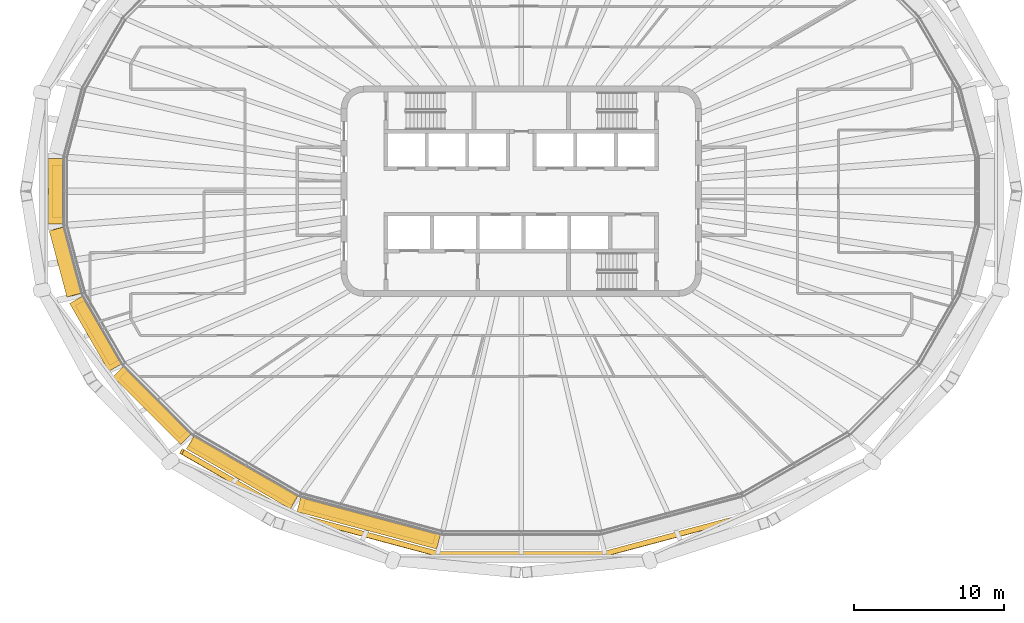
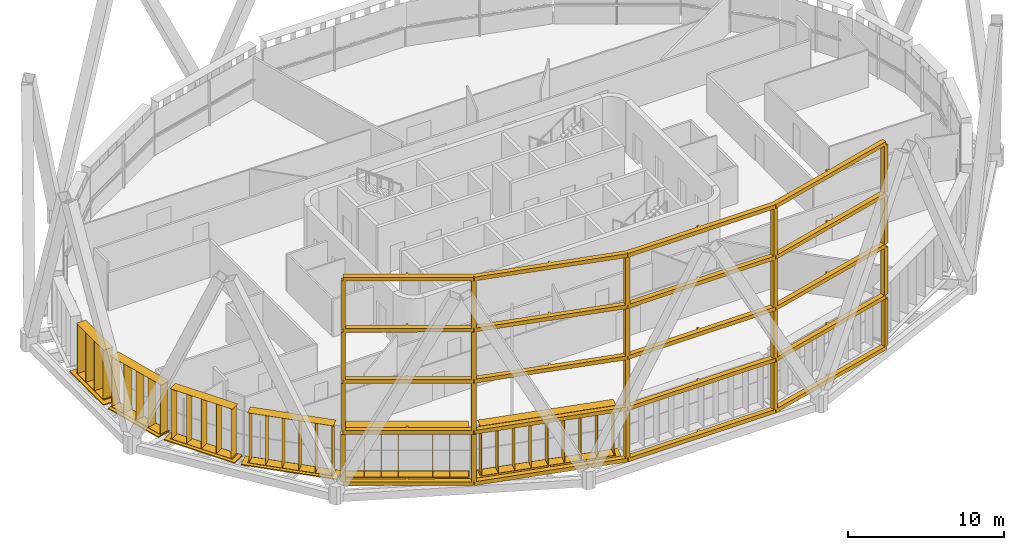
# One storey, part 18 of 22: 13 shading devices.
"""IFC4 building model written with IfcOpenShell, lengths in metres."""

from ifc_helpers import new_model, si_unit, direction, frame, origin, origin_2d, place, context, subcontext, project, spatial, polyline, rectangle, outline, extrude, material, type_object, element, save


model = new_model("IFC4")

# Units and contexts
model_context = context("Model", 3, precision=1e-05, world=origin(), true_north=direction((0.0, 1.0)))
body_context = subcontext(model_context, "Body", "Model", "MODEL_VIEW")
ifc_project = project(units=[si_unit("LENGTHUNIT", "METRE"), si_unit("AREAUNIT", "SQUARE_METRE"), si_unit("VOLUMEUNIT", "CUBIC_METRE"), si_unit("PLANEANGLEUNIT", "RADIAN"), si_unit("MASSUNIT", "GRAM", prefix="KILO")], contexts=[model_context])

# Site, building, storey
site_placement = place(None, origin())
site = spatial("IfcSite", under=ifc_project, at=site_placement, CompositionType="ELEMENT")
building_placement = place(site_placement, origin())
building = spatial("IfcBuilding", under=site, at=building_placement, Name="Sahrelin Media Tower", CompositionType="ELEMENT")
storey_placement = place(building_placement, frame((0.0, 0.0, 233.60009765625)))
storey = spatial("IfcBuildingStorey", under=building, at=storey_placement, Name="L50", CompositionType="ELEMENT", Elevation=233.60009765625)

# Shading devices
ifc_material_1 = material(Name="Dark bronze anodised aluminium 6063-T6", Category="aluminium")
shading_device_type_1 = type_object("IfcShadingDeviceType", Name="Deep frame", PredefinedType="USERDEFINED", material=ifc_material_1)
shading_device_1_placement = place(storey_placement, frame((-21.87890625, -16.22265625, 0.0), z_axis=(0.0, 0.0, 1.0), x_axis=(-0.866019052629, 0.500011000363, 0.0)))
element("IfcShadingDevice", 1, at=shading_device_1_placement, inside=storey, type_object=shading_device_type_1, Name="L50:FRAME:F4-2", ObjectType="FRAME", PredefinedType="USERDEFINED", context=body_context, shape_type="SweptSolid", body=[
    extrude(rectangle(XDim=0.300048828125, YDim=0.35009765625, at=origin_2d()), frame((0.0, 1.324951171875, 0.14990234375), z_axis=(0.0, 0.0, 1.0), x_axis=(-1.0, 0.0, 0.0)), (0.0, 0.0, 1.0), 3.7001953125),
    extrude(rectangle(XDim=0.300048828125, YDim=0.35009765625, at=origin_2d()), frame((-8.377197265625, 1.313720703125, 0.14990234375), z_axis=(0.0, 0.0, 1.0), x_axis=(-0.991434606813, -0.130604059715, 0.0)), (0.0, 0.0, 1.0), 3.7001953125),
    extrude(rectangle(XDim=0.300048828125, YDim=0.35009765625, at=origin_2d()), frame((-18.20751953125, -1.3203125, 0.14990234375), z_axis=(0.0, 0.0, 1.0), x_axis=(-0.923876860854, -0.382689882252, 0.0)), (0.0, 0.0, 1.0), 3.7001953125),
    extrude(rectangle(XDim=0.300048828125, YDim=0.35009765625, at=origin_2d()), frame((-27.648193359375, -6.770751953125, 0.14990234375), z_axis=(0.0, 0.0, 1.0), x_axis=(-0.793315089117, -0.608811275668, 0.0)), (0.0, 0.0, 1.0), 3.7001953125),
    extrude(rectangle(XDim=0.300048828125, YDim=0.35009765625, at=origin_2d()), frame((-34.730224609375, -13.8369140625, 0.14990234375), z_axis=(0.0, 0.0, 1.0), x_axis=(-0.707106781187, -0.707106781187, 0.0)), (0.0, 0.0, 1.0), 3.7001953125),
    extrude(outline(polyline([(-27.735595703125, -6.619384765625), (-27.648193359375, -6.770751953125), (-27.771728515625, -6.64697265625), (-34.853759765625, -13.712890625), (-34.606689453125, -13.960693359375), (-31.1796875, -10.54150390625), (-31.056396484375, -10.6650390625), (-30.9501953125, -10.558837890625), (-31.073486328125, -10.435791015625), (-27.540771484375, -6.910888671875), (-22.9052734375, -4.234619140625), (-22.82080078125, -4.380615234375), (-22.69091796875, -4.3056640625), (-22.775390625, -4.15966796875), (-18.139892578125, -1.4833984375), (-13.319580078125, -0.19189453125), (-13.27587890625, -0.354736328125), (-13.131103515625, -0.31591796875), (-13.174560546875, -0.153076171875), (-8.35400390625, 1.138671875), (-4.177001953125, 1.144287109375), (-4.177001953125, 0.969970703125), (-4.027099609375, 0.969970703125), (-4.027099609375, 1.14453125), (0.000244140625, 1.14990234375), (-0.000244140625, 1.5), (-8.37744140625, 1.48876953125), (-8.377197265625, 1.313720703125), (-8.422607421875, 1.482666015625), (-18.252685546875, -1.1513671875), (-18.20751953125, -1.3203125), (-18.294921875, -1.168701171875), (-27.735595703125, -6.619384765625)])), frame((0.0, 0.0, -0.14990234375)), (0.0, 0.0, 1.0), 0.2998046875),
    extrude(rectangle(XDim=0.300048828125, YDim=0.35009765625, at=origin_2d()), frame((-0.00830078125, 1.30419921875, 4.14990234375), z_axis=(0.0, 0.0, 1.0), x_axis=(-1.0, 0.0, 0.0)), (0.0, 0.0, 1.0), 3.7001953125),
    extrude(rectangle(XDim=0.300048828125, YDim=0.35009765625, at=origin_2d()), frame((-8.37890625, 1.29296875, 4.14990234375), z_axis=(0.0, 0.0, 1.0), x_axis=(-0.991436202368, -0.130591947046, 0.0)), (0.0, 0.0, 1.0), 3.7001953125),
    extrude(rectangle(XDim=0.300048828125, YDim=0.35009765625, at=origin_2d()), frame((-18.20166015625, -1.339111328125, 4.14990234375), z_axis=(0.0, 0.0, 1.0), x_axis=(-0.923876860854, -0.382689882252, 0.0)), (0.0, 0.0, 1.0), 3.7001953125),
    extrude(rectangle(XDim=0.300048828125, YDim=0.35009765625, at=origin_2d()), frame((-27.634765625, -6.785400390625, 4.14990234375), z_axis=(0.0, 0.0, 1.0), x_axis=(-0.793352277801, -0.608762813671, 0.0)), (0.0, 0.0, 1.0), 3.7001953125),
    extrude(rectangle(XDim=0.300048828125, YDim=0.35009765625, at=origin_2d()), frame((-34.71142578125, -13.845703125, 4.14990234375), z_axis=(0.0, 0.0, 1.0), x_axis=(-0.707106781187, -0.707106781187, 0.0)), (0.0, 0.0, 1.0), 3.7001953125),
    extrude(outline(polyline([(-27.722412109375, -6.6337890625), (-27.634765625, -6.785400390625), (-27.75830078125, -6.661376953125), (-34.8349609375, -13.721923828125), (-34.587890625, -13.9697265625), (-31.163818359375, -10.55322265625), (-31.040283203125, -10.6767578125), (-30.93408203125, -10.57080078125), (-31.0576171875, -10.447509765625), (-27.527587890625, -6.92529296875), (-22.895751953125, -4.251220703125), (-22.811279296875, -4.397216796875), (-22.681396484375, -4.322265625), (-22.765869140625, -4.17626953125), (-18.134033203125, -1.502197265625), (-13.3173828125, -0.211669921875), (-13.273681640625, -0.37451171875), (-13.12890625, -0.335693359375), (-13.172607421875, -0.172607421875), (-8.355712890625, 1.117919921875), (-4.18212890625, 1.12353515625), (-4.18212890625, 0.94921875), (-4.031982421875, 0.94921875), (-4.031982421875, 1.123779296875), (-0.00830078125, 1.129150390625), (-0.0087890625, 1.479248046875), (-8.37890625, 1.468017578125), (-8.37890625, 1.29296875), (-8.424072265625, 1.4619140625), (-18.246826171875, -1.170166015625), (-18.20166015625, -1.339111328125), (-18.2890625, -1.1875), (-27.722412109375, -6.6337890625)])), frame((0.0, 0.0, 3.85009765625)), (0.0, 0.0, 1.0), 0.2998046875),
    extrude(rectangle(XDim=0.300048828125, YDim=0.35009765625, at=origin_2d()), frame((-0.00830078125, 1.30419921875, 8.14990234375), z_axis=(0.0, 0.0, 1.0), x_axis=(-1.0, 0.0, 0.0)), (0.0, 0.0, 1.0), 3.7001953125),
    extrude(rectangle(XDim=0.300048828125, YDim=0.35009765625, at=origin_2d()), frame((-8.37890625, 1.29296875, 8.14990234375), z_axis=(0.0, 0.0, 1.0), x_axis=(-0.991436202368, -0.130591947046, 0.0)), (0.0, 0.0, 1.0), 3.7001953125),
    extrude(rectangle(XDim=0.300048828125, YDim=0.35009765625, at=origin_2d()), frame((-18.20166015625, -1.339111328125, 8.14990234375), z_axis=(0.0, 0.0, 1.0), x_axis=(-0.923876860854, -0.382689882252, 0.0)), (0.0, 0.0, 1.0), 3.7001953125),
    extrude(rectangle(XDim=0.300048828125, YDim=0.35009765625, at=origin_2d()), frame((-27.634765625, -6.785400390625, 8.14990234375), z_axis=(0.0, 0.0, 1.0), x_axis=(-0.793352277801, -0.608762813671, 0.0)), (0.0, 0.0, 1.0), 3.7001953125),
    extrude(rectangle(XDim=0.300048828125, YDim=0.35009765625, at=origin_2d()), frame((-34.71142578125, -13.845703125, 8.14990234375), z_axis=(0.0, 0.0, 1.0), x_axis=(-0.707106781187, -0.707106781187, 0.0)), (0.0, 0.0, 1.0), 3.7001953125),
    extrude(outline(polyline([(-27.722412109375, -6.6337890625), (-27.634765625, -6.785400390625), (-27.75830078125, -6.661376953125), (-34.8349609375, -13.721923828125), (-34.587890625, -13.9697265625), (-31.163818359375, -10.55322265625), (-31.040283203125, -10.6767578125), (-30.93408203125, -10.57080078125), (-31.0576171875, -10.447509765625), (-27.527587890625, -6.92529296875), (-22.895751953125, -4.251220703125), (-22.811279296875, -4.397216796875), (-22.681396484375, -4.322265625), (-22.765869140625, -4.17626953125), (-18.134033203125, -1.502197265625), (-13.3173828125, -0.211669921875), (-13.273681640625, -0.37451171875), (-13.12890625, -0.335693359375), (-13.172607421875, -0.172607421875), (-8.355712890625, 1.117919921875), (-4.18212890625, 1.12353515625), (-4.18212890625, 0.94921875), (-4.031982421875, 0.94921875), (-4.031982421875, 1.123779296875), (-0.00830078125, 1.129150390625), (-0.0087890625, 1.479248046875), (-8.37890625, 1.468017578125), (-8.37890625, 1.29296875), (-8.424072265625, 1.4619140625), (-18.246826171875, -1.170166015625), (-18.20166015625, -1.339111328125), (-18.2890625, -1.1875), (-27.722412109375, -6.6337890625)])), frame((0.0, 0.0, 7.85009765625)), (0.0, 0.0, 1.0), 0.2998046875),
    extrude(rectangle(XDim=0.300048828125, YDim=0.35009765625, at=origin_2d()), frame((-0.00830078125, 1.30419921875, 12.14990234375), z_axis=(0.0, 0.0, 1.0), x_axis=(-1.0, 0.0, 0.0)), (0.0, 0.0, 1.0), 3.7001953125),
    extrude(rectangle(XDim=0.300048828125, YDim=0.35009765625, at=origin_2d()), frame((-8.37890625, 1.29296875, 12.14990234375), z_axis=(0.0, 0.0, 1.0), x_axis=(-0.991436202368, -0.130591947046, 0.0)), (0.0, 0.0, 1.0), 3.7001953125),
    extrude(rectangle(XDim=0.300048828125, YDim=0.35009765625, at=origin_2d()), frame((-18.20166015625, -1.339111328125, 12.14990234375), z_axis=(0.0, 0.0, 1.0), x_axis=(-0.923876860854, -0.382689882252, 0.0)), (0.0, 0.0, 1.0), 3.7001953125),
    extrude(rectangle(XDim=0.300048828125, YDim=0.35009765625, at=origin_2d()), frame((-27.634765625, -6.785400390625, 12.14990234375), z_axis=(0.0, 0.0, 1.0), x_axis=(-0.793352277801, -0.608762813671, 0.0)), (0.0, 0.0, 1.0), 3.7001953125),
    extrude(rectangle(XDim=0.300048828125, YDim=0.35009765625, at=origin_2d()), frame((-34.71142578125, -13.845703125, 12.14990234375), z_axis=(0.0, 0.0, 1.0), x_axis=(-0.707106781187, -0.707106781187, 0.0)), (0.0, 0.0, 1.0), 3.7001953125),
    extrude(outline(polyline([(-27.722412109375, -6.6337890625), (-27.634765625, -6.785400390625), (-27.75830078125, -6.661376953125), (-34.8349609375, -13.721923828125), (-34.587890625, -13.9697265625), (-31.163818359375, -10.55322265625), (-31.040283203125, -10.6767578125), (-30.93408203125, -10.57080078125), (-31.0576171875, -10.447509765625), (-27.527587890625, -6.92529296875), (-22.895751953125, -4.251220703125), (-22.811279296875, -4.397216796875), (-22.681396484375, -4.322265625), (-22.765869140625, -4.17626953125), (-18.134033203125, -1.502197265625), (-13.3173828125, -0.211669921875), (-13.273681640625, -0.37451171875), (-13.12890625, -0.335693359375), (-13.172607421875, -0.172607421875), (-8.355712890625, 1.117919921875), (-4.18212890625, 1.12353515625), (-4.18212890625, 0.94921875), (-4.031982421875, 0.94921875), (-4.031982421875, 1.123779296875), (-0.00830078125, 1.129150390625), (-0.0087890625, 1.479248046875), (-8.37890625, 1.468017578125), (-8.37890625, 1.29296875), (-8.424072265625, 1.4619140625), (-18.246826171875, -1.170166015625), (-18.20166015625, -1.339111328125), (-18.2890625, -1.1875), (-27.722412109375, -6.6337890625)])), frame((0.0, 0.0, 11.85009765625)), (0.0, 0.0, 1.0), 0.2998046875),
    extrude(outline(polyline([(-27.722412109375, -6.6337890625), (-27.634765625, -6.785400390625), (-27.75830078125, -6.661376953125), (-34.8349609375, -13.721923828125), (-34.587890625, -13.9697265625), (-31.163818359375, -10.55322265625), (-31.040283203125, -10.6767578125), (-30.93408203125, -10.57080078125), (-31.0576171875, -10.447509765625), (-27.527587890625, -6.92529296875), (-22.895751953125, -4.251220703125), (-22.811279296875, -4.397216796875), (-22.681396484375, -4.322265625), (-22.765869140625, -4.17626953125), (-18.134033203125, -1.502197265625), (-13.3173828125, -0.211669921875), (-13.273681640625, -0.37451171875), (-13.12890625, -0.335693359375), (-13.172607421875, -0.172607421875), (-8.355712890625, 1.117919921875), (-4.18212890625, 1.12353515625), (-4.18212890625, 0.94921875), (-4.031982421875, 0.94921875), (-4.031982421875, 1.123779296875), (-0.00830078125, 1.129150390625), (-0.0087890625, 1.479248046875), (-8.37890625, 1.468017578125), (-8.37890625, 1.29296875), (-8.424072265625, 1.4619140625), (-18.246826171875, -1.170166015625), (-18.20166015625, -1.339111328125), (-18.2890625, -1.1875), (-27.722412109375, -6.6337890625)])), frame((0.0, 0.0, 15.85009765625)), (0.0, 0.0, 1.0), 0.2998046875),
])
ifc_material_2 = material(Name="Champagne anodised aluminium 6063-T6", Category="aluminium")
shading_device_type_2 = type_object("IfcShadingDeviceType", Name="Fin cassette", PredefinedType="USERDEFINED", material=ifc_material_2)
placement_1 = place(storey_placement, frame((-30.474853515625, 0.0, 0.0), z_axis=(0.0, 0.0, 1.0), x_axis=(0.0, 1.0, 0.0)))
element("IfcShadingDevice", 2, at=placement_1, inside=storey, type_object=shading_device_type_2, Name="L50:FIN:L50-12", ObjectType="FIN", PredefinedType="USERDEFINED", context=body_context, shape_type="SweptSolid", body=[
    extrude(rectangle(XDim=3.5, YDim=0.699951171875, at=origin_2d()), frame((0.0, 0.419921875, 0.0)), (0.0, 0.0, 1.0), 0.02001953125),
    extrude(rectangle(XDim=3.5, YDim=0.699951171875, at=origin_2d()), frame((0.0, 0.419921875, 3.89990234375)), (0.0, 0.0, 1.0), 0.02001953125),
    extrude(rectangle(XDim=0.02001953125, YDim=0.699951171875, at=origin_2d()), frame((-1.64990234375, 0.419921875, 0.010009765625), z_axis=(0.0, 0.0, 1.0), x_axis=(1.0, 0.0, 0.0)), (0.0, 0.0, 1.0), 3.89990234375),
    extrude(rectangle(XDim=0.02001953125, YDim=0.699951171875, at=origin_2d()), frame((-0.550048828125, 0.419921875, 0.010009765625), z_axis=(0.0, 0.0, 1.0), x_axis=(1.0, 0.0, 0.0)), (0.0, 0.0, 1.0), 3.89990234375),
    extrude(rectangle(XDim=0.02001953125, YDim=0.699951171875, at=origin_2d()), frame((0.550048828125, 0.419921875, 0.010009765625), z_axis=(0.0, 0.0, 1.0), x_axis=(1.0, 0.0, 0.0)), (0.0, 0.0, 1.0), 3.89990234375),
    extrude(rectangle(XDim=0.02001953125, YDim=0.699951171875, at=origin_2d()), frame((1.64990234375, 0.419921875, 0.010009765625), z_axis=(0.0, 0.0, 1.0), x_axis=(1.0, 0.0, 0.0)), (0.0, 0.0, 1.0), 3.89990234375),
])
placement_2 = place(storey_placement, frame((-29.858642578125, -4.576171875, 0.0), z_axis=(0.0, 0.0, 1.0), x_axis=(-0.258807731996, 0.965928857556, 0.0)))
element("IfcShadingDevice", 3, at=placement_2, inside=storey, type_object=shading_device_type_2, Name="L50:FIN:L50-13", ObjectType="FIN", PredefinedType="USERDEFINED", context=body_context, shape_type="SweptSolid", body=[
    extrude(rectangle(XDim=4.60009765625, YDim=0.699951171875, at=origin_2d()), frame((0.0, 0.419921875, 0.0)), (0.0, 0.0, 1.0), 0.02001953125),
    extrude(rectangle(XDim=4.60009765625, YDim=0.699951171875, at=origin_2d()), frame((0.0, 0.419921875, 3.89990234375)), (0.0, 0.0, 1.0), 0.02001953125),
    extrude(rectangle(XDim=0.02001953125, YDim=0.699951171875, at=origin_2d()), frame((-2.199951171875, 0.419921875, 0.010009765625), z_axis=(0.0, 0.0, 1.0), x_axis=(1.0, 0.0, 0.0)), (0.0, 0.0, 1.0), 3.89990234375),
    extrude(rectangle(XDim=0.02001953125, YDim=0.699951171875, at=origin_2d()), frame((-1.10009765625, 0.419921875, 0.010009765625), z_axis=(0.0, 0.0, 1.0), x_axis=(1.0, 0.0, 0.0)), (0.0, 0.0, 1.0), 3.89990234375),
    extrude(rectangle(XDim=0.02001953125, YDim=0.699951171875, at=origin_2d()), frame((0.0, 0.419921875, 0.010009765625), z_axis=(0.0, 0.0, 1.0), x_axis=(1.0, 0.0, 0.0)), (0.0, 0.0, 1.0), 3.89990234375),
    extrude(rectangle(XDim=0.02001953125, YDim=0.699951171875, at=origin_2d()), frame((1.10009765625, 0.419921875, 0.010009765625), z_axis=(0.0, 0.0, 1.0), x_axis=(1.0, 0.0, 0.0)), (0.0, 0.0, 1.0), 3.89990234375),
    extrude(rectangle(XDim=0.02001953125, YDim=0.699951171875, at=origin_2d()), frame((2.199951171875, 0.419921875, 0.010009765625), z_axis=(0.0, 0.0, 1.0), x_axis=(1.0, 0.0, 0.0)), (0.0, 0.0, 1.0), 3.89990234375),
])
placement_3 = place(storey_placement, frame((-27.887939453125, -9.2216796875, 0.0), z_axis=(0.0, 0.0, 1.0), x_axis=(-0.500011000363, 0.866019052629, 0.0)))
element("IfcShadingDevice", 4, at=placement_3, inside=storey, type_object=shading_device_type_2, Name="L50:FIN:L50-14", ObjectType="FIN", PredefinedType="USERDEFINED", context=body_context, shape_type="SweptSolid", body=[
    extrude(rectangle(XDim=4.60009765625, YDim=0.699951171875, at=origin_2d()), frame((0.0, 0.419921875, 0.0)), (0.0, 0.0, 1.0), 0.02001953125),
    extrude(rectangle(XDim=4.60009765625, YDim=0.699951171875, at=origin_2d()), frame((0.0, 0.419921875, 3.89990234375)), (0.0, 0.0, 1.0), 0.02001953125),
    extrude(rectangle(XDim=0.02001953125, YDim=0.699951171875, at=origin_2d()), frame((-2.199951171875, 0.419921875, 0.010009765625), z_axis=(0.0, 0.0, 1.0), x_axis=(1.0, 0.0, 0.0)), (0.0, 0.0, 1.0), 3.89990234375),
    extrude(rectangle(XDim=0.02001953125, YDim=0.699951171875, at=origin_2d()), frame((-1.10009765625, 0.419921875, 0.010009765625), z_axis=(0.0, 0.0, 1.0), x_axis=(1.0, 0.0, 0.0)), (0.0, 0.0, 1.0), 3.89990234375),
    extrude(rectangle(XDim=0.02001953125, YDim=0.699951171875, at=origin_2d()), frame((0.0, 0.419921875, 0.010009765625), z_axis=(0.0, 0.0, 1.0), x_axis=(1.0, 0.0, 0.0)), (0.0, 0.0, 1.0), 3.89990234375),
    extrude(rectangle(XDim=0.02001953125, YDim=0.699951171875, at=origin_2d()), frame((1.10009765625, 0.419921875, 0.010009765625), z_axis=(0.0, 0.0, 1.0), x_axis=(1.0, 0.0, 0.0)), (0.0, 0.0, 1.0), 3.89990234375),
    extrude(rectangle(XDim=0.02001953125, YDim=0.699951171875, at=origin_2d()), frame((2.199951171875, 0.419921875, 0.010009765625), z_axis=(0.0, 0.0, 1.0), x_axis=(1.0, 0.0, 0.0)), (0.0, 0.0, 1.0), 3.89990234375),
])
placement_4 = place(storey_placement, frame((-24.206298828125, -13.895263671875, 0.0), z_axis=(0.0, 0.0, 1.0), x_axis=(-0.707106781187, 0.707106781187, 0.0)))
element("IfcShadingDevice", 5, at=placement_4, inside=storey, type_object=shading_device_type_2, Name="L50:FIN:L50-15", ObjectType="FIN", PredefinedType="USERDEFINED", context=body_context, shape_type="SweptSolid", body=[
    extrude(rectangle(XDim=5.699951171875, YDim=0.699951171875, at=origin_2d()), frame((0.0, 0.419921875, 0.0)), (0.0, 0.0, 1.0), 0.02001953125),
    extrude(rectangle(XDim=5.699951171875, YDim=0.699951171875, at=origin_2d()), frame((0.0, 0.419921875, 3.89990234375)), (0.0, 0.0, 1.0), 0.02001953125),
    extrude(rectangle(XDim=0.02001953125, YDim=0.699951171875, at=origin_2d()), frame((-2.75, 0.419921875, 0.010009765625), z_axis=(0.0, 0.0, 1.0), x_axis=(1.0, 0.0, 0.0)), (0.0, 0.0, 1.0), 3.89990234375),
    extrude(rectangle(XDim=0.02001953125, YDim=0.699951171875, at=origin_2d()), frame((-1.64990234375, 0.419921875, 0.010009765625), z_axis=(0.0, 0.0, 1.0), x_axis=(1.0, 0.0, 0.0)), (0.0, 0.0, 1.0), 3.89990234375),
    extrude(rectangle(XDim=0.02001953125, YDim=0.699951171875, at=origin_2d()), frame((-0.550048828125, 0.419921875, 0.010009765625), z_axis=(0.0, 0.0, 1.0), x_axis=(1.0, 0.0, 0.0)), (0.0, 0.0, 1.0), 3.89990234375),
    extrude(rectangle(XDim=0.02001953125, YDim=0.699951171875, at=origin_2d()), frame((0.550048828125, 0.419921875, 0.010009765625), z_axis=(0.0, 0.0, 1.0), x_axis=(1.0, 0.0, 0.0)), (0.0, 0.0, 1.0), 3.89990234375),
    extrude(rectangle(XDim=0.02001953125, YDim=0.699951171875, at=origin_2d()), frame((1.64990234375, 0.419921875, 0.010009765625), z_axis=(0.0, 0.0, 1.0), x_axis=(1.0, 0.0, 0.0)), (0.0, 0.0, 1.0), 3.89990234375),
    extrude(rectangle(XDim=0.02001953125, YDim=0.699951171875, at=origin_2d()), frame((2.75, 0.419921875, 0.010009765625), z_axis=(0.0, 0.0, 1.0), x_axis=(1.0, 0.0, 0.0)), (0.0, 0.0, 1.0), 3.89990234375),
])
placement_5 = place(storey_placement, frame((-18.326416015625, -18.273681640625, 0.0), z_axis=(0.0, 0.0, 1.0), x_axis=(-0.866019052629, 0.500011000363, 0.0)))
element("IfcShadingDevice", 6, at=placement_5, inside=storey, type_object=shading_device_type_2, Name="L50:FIN:L50-16", ObjectType="FIN", PredefinedType="USERDEFINED", context=body_context, shape_type="SweptSolid", body=[
    extrude(rectangle(XDim=7.89990234375, YDim=0.699951171875, at=origin_2d()), frame((0.0, 0.419921875, 0.0)), (0.0, 0.0, 1.0), 0.02001953125),
    extrude(rectangle(XDim=7.89990234375, YDim=0.699951171875, at=origin_2d()), frame((0.0, 0.419921875, 3.89990234375)), (0.0, 0.0, 1.0), 0.02001953125),
    extrude(rectangle(XDim=0.02001953125, YDim=0.699951171875, at=origin_2d()), frame((-3.85009765625, 0.419921875, 0.010009765625), z_axis=(0.0, 0.0, 1.0), x_axis=(1.0, 0.0, 0.0)), (0.0, 0.0, 1.0), 3.89990234375),
    extrude(rectangle(XDim=0.02001953125, YDim=0.699951171875, at=origin_2d()), frame((-2.75, 0.419921875, 0.010009765625), z_axis=(0.0, 0.0, 1.0), x_axis=(1.0, 0.0, 0.0)), (0.0, 0.0, 1.0), 3.89990234375),
    extrude(rectangle(XDim=0.02001953125, YDim=0.699951171875, at=origin_2d()), frame((-1.64990234375, 0.419921875, 0.010009765625), z_axis=(0.0, 0.0, 1.0), x_axis=(1.0, 0.0, 0.0)), (0.0, 0.0, 1.0), 3.89990234375),
    extrude(rectangle(XDim=0.02001953125, YDim=0.699951171875, at=origin_2d()), frame((-0.550048828125, 0.419921875, 0.010009765625), z_axis=(0.0, 0.0, 1.0), x_axis=(1.0, 0.0, 0.0)), (0.0, 0.0, 1.0), 3.89990234375),
    extrude(rectangle(XDim=0.02001953125, YDim=0.699951171875, at=origin_2d()), frame((0.550048828125, 0.419921875, 0.010009765625), z_axis=(0.0, 0.0, 1.0), x_axis=(1.0, 0.0, 0.0)), (0.0, 0.0, 1.0), 3.89990234375),
    extrude(rectangle(XDim=0.02001953125, YDim=0.699951171875, at=origin_2d()), frame((1.64990234375, 0.419921875, 0.010009765625), z_axis=(0.0, 0.0, 1.0), x_axis=(1.0, 0.0, 0.0)), (0.0, 0.0, 1.0), 3.89990234375),
    extrude(rectangle(XDim=0.02001953125, YDim=0.699951171875, at=origin_2d()), frame((2.75, 0.419921875, 0.010009765625), z_axis=(0.0, 0.0, 1.0), x_axis=(1.0, 0.0, 0.0)), (0.0, 0.0, 1.0), 3.89990234375),
    extrude(rectangle(XDim=0.02001953125, YDim=0.699951171875, at=origin_2d()), frame((3.85009765625, 0.419921875, 0.010009765625), z_axis=(0.0, 0.0, 1.0), x_axis=(1.0, 0.0, 0.0)), (0.0, 0.0, 1.0), 3.89990234375),
])
placement_6 = place(storey_placement, frame((-10.025634765625, -21.596923828125, 0.0), z_axis=(0.0, 0.0, 1.0), x_axis=(-0.965928857556, 0.258807731996, 0.0)))
element("IfcShadingDevice", 7, at=placement_6, inside=storey, type_object=shading_device_type_2, Name="L50:FIN:L50-17", ObjectType="FIN", PredefinedType="USERDEFINED", context=body_context, shape_type="SweptSolid", body=[
    extrude(rectangle(XDim=9.0, YDim=0.699951171875, at=origin_2d()), frame((0.0, 0.419921875, 0.0)), (0.0, 0.0, 1.0), 0.02001953125),
    extrude(rectangle(XDim=9.0, YDim=0.699951171875, at=origin_2d()), frame((0.0, 0.419921875, 3.89990234375)), (0.0, 0.0, 1.0), 0.02001953125),
    extrude(rectangle(XDim=0.02001953125, YDim=0.699951171875, at=origin_2d()), frame((-4.39990234375, 0.419921875, 0.010009765625), z_axis=(0.0, 0.0, 1.0), x_axis=(1.0, 0.0, 0.0)), (0.0, 0.0, 1.0), 3.89990234375),
    extrude(rectangle(XDim=0.02001953125, YDim=0.699951171875, at=origin_2d()), frame((-3.300048828125, 0.419921875, 0.010009765625), z_axis=(0.0, 0.0, 1.0), x_axis=(1.0, 0.0, 0.0)), (0.0, 0.0, 1.0), 3.89990234375),
    extrude(rectangle(XDim=0.02001953125, YDim=0.699951171875, at=origin_2d()), frame((-2.199951171875, 0.419921875, 0.010009765625), z_axis=(0.0, 0.0, 1.0), x_axis=(1.0, 0.0, 0.0)), (0.0, 0.0, 1.0), 3.89990234375),
    extrude(rectangle(XDim=0.02001953125, YDim=0.699951171875, at=origin_2d()), frame((-1.10009765625, 0.419921875, 0.010009765625), z_axis=(0.0, 0.0, 1.0), x_axis=(1.0, 0.0, 0.0)), (0.0, 0.0, 1.0), 3.89990234375),
    extrude(rectangle(XDim=0.02001953125, YDim=0.699951171875, at=origin_2d()), frame((0.0, 0.419921875, 0.010009765625), z_axis=(0.0, 0.0, 1.0), x_axis=(1.0, 0.0, 0.0)), (0.0, 0.0, 1.0), 3.89990234375),
    extrude(rectangle(XDim=0.02001953125, YDim=0.699951171875, at=origin_2d()), frame((1.10009765625, 0.419921875, 0.010009765625), z_axis=(0.0, 0.0, 1.0), x_axis=(1.0, 0.0, 0.0)), (0.0, 0.0, 1.0), 3.89990234375),
    extrude(rectangle(XDim=0.02001953125, YDim=0.699951171875, at=origin_2d()), frame((2.199951171875, 0.419921875, 0.010009765625), z_axis=(0.0, 0.0, 1.0), x_axis=(1.0, 0.0, 0.0)), (0.0, 0.0, 1.0), 3.89990234375),
    extrude(rectangle(XDim=0.02001953125, YDim=0.699951171875, at=origin_2d()), frame((3.300048828125, 0.419921875, 0.010009765625), z_axis=(0.0, 0.0, 1.0), x_axis=(1.0, 0.0, 0.0)), (0.0, 0.0, 1.0), 3.89990234375),
    extrude(rectangle(XDim=0.02001953125, YDim=0.699951171875, at=origin_2d()), frame((4.39990234375, 0.419921875, 0.010009765625), z_axis=(0.0, 0.0, 1.0), x_axis=(1.0, 0.0, 0.0)), (0.0, 0.0, 1.0), 3.89990234375),
])
shading_device_type_3 = type_object("IfcShadingDeviceType", Name="Sunshade band", PredefinedType="USERDEFINED", material=ifc_material_2)
element("IfcShadingDevice", 8, at=placement_1, inside=storey, type_object=shading_device_type_3, Name="L50:SUN:L50-12", ObjectType="SUNSHADE", PredefinedType="USERDEFINED", context=body_context, shape_type="SweptSolid", body=[
    extrude(rectangle(XDim=4.352783203125, YDim=0.050048828125, at=origin_2d()), frame((0.0, 0.044921875, -0.55126953125)), (0.0, 0.0, 1.0), 0.471435546875),
    extrude(rectangle(XDim=4.352783203125, YDim=1.0, at=origin_2d()), frame((0.0, 0.52001953125, -0.080078125)), (0.0, 0.0, 1.0), 0.080078125),
    extrude(rectangle(XDim=0.10009765625, YDim=0.074951171875, at=origin_2d()), frame((-2.076416015625, -0.017578125, -0.47021484375)), (0.0, 0.0, 1.0), 0.300048828125),
    extrude(rectangle(XDim=0.10009765625, YDim=0.074951171875, at=origin_2d()), frame((-0.692138671875, -0.017578125, -0.47021484375)), (0.0, 0.0, 1.0), 0.300048828125),
    extrude(rectangle(XDim=0.10009765625, YDim=0.074951171875, at=origin_2d()), frame((0.692138671875, -0.017578125, -0.47021484375)), (0.0, 0.0, 1.0), 0.300048828125),
    extrude(rectangle(XDim=0.10009765625, YDim=0.074951171875, at=origin_2d()), frame((2.076416015625, -0.017578125, -0.47021484375)), (0.0, 0.0, 1.0), 0.300048828125),
])
element("IfcShadingDevice", 9, at=placement_2, inside=storey, type_object=shading_device_type_3, Name="L50:SUN:L50-13", ObjectType="SUNSHADE", PredefinedType="USERDEFINED", context=body_context, shape_type="SweptSolid", body=[
    extrude(rectangle(XDim=4.5615234375, YDim=0.050048828125, at=origin_2d()), frame((0.0, 0.044921875, -0.55126953125)), (0.0, 0.0, 1.0), 0.471435546875),
    extrude(rectangle(XDim=4.5615234375, YDim=1.0, at=origin_2d()), frame((0.0, 0.52001953125, -0.080078125)), (0.0, 0.0, 1.0), 0.080078125),
    extrude(rectangle(XDim=0.10009765625, YDim=0.074951171875, at=origin_2d()), frame((-2.180908203125, -0.017578125, -0.47021484375)), (0.0, 0.0, 1.0), 0.300048828125),
    extrude(rectangle(XDim=0.10009765625, YDim=0.074951171875, at=origin_2d()), frame((-0.726806640625, -0.017578125, -0.47021484375)), (0.0, 0.0, 1.0), 0.300048828125),
    extrude(rectangle(XDim=0.10009765625, YDim=0.074951171875, at=origin_2d()), frame((0.726806640625, -0.017578125, -0.47021484375)), (0.0, 0.0, 1.0), 0.300048828125),
    extrude(rectangle(XDim=0.10009765625, YDim=0.074951171875, at=origin_2d()), frame((2.180908203125, -0.017578125, -0.47021484375)), (0.0, 0.0, 1.0), 0.300048828125),
])
element("IfcShadingDevice", 10, at=placement_3, inside=storey, type_object=shading_device_type_3, Name="L50:SUN:L50-14", ObjectType="SUNSHADE", PredefinedType="USERDEFINED", context=body_context, shape_type="SweptSolid", body=[
    extrude(rectangle(XDim=5.218017578125, YDim=0.050048828125, at=origin_2d()), frame((0.0, 0.044921875, -0.55126953125)), (0.0, 0.0, 1.0), 0.471435546875),
    extrude(rectangle(XDim=5.218017578125, YDim=1.0, at=origin_2d()), frame((0.0, 0.52001953125, -0.080078125)), (0.0, 0.0, 1.0), 0.080078125),
    extrude(rectangle(XDim=0.10009765625, YDim=0.074951171875, at=origin_2d()), frame((-2.509033203125, -0.017578125, -0.47021484375)), (0.0, 0.0, 1.0), 0.300048828125),
    extrude(rectangle(XDim=0.10009765625, YDim=0.074951171875, at=origin_2d()), frame((-0.836181640625, -0.017578125, -0.47021484375)), (0.0, 0.0, 1.0), 0.300048828125),
    extrude(rectangle(XDim=0.10009765625, YDim=0.074951171875, at=origin_2d()), frame((0.836181640625, -0.017578125, -0.47021484375)), (0.0, 0.0, 1.0), 0.300048828125),
    extrude(rectangle(XDim=0.10009765625, YDim=0.074951171875, at=origin_2d()), frame((2.509033203125, -0.017578125, -0.47021484375)), (0.0, 0.0, 1.0), 0.300048828125),
])
element("IfcShadingDevice", 11, at=placement_4, inside=storey, type_object=shading_device_type_3, Name="L50:SUN:L50-15", ObjectType="SUNSHADE", PredefinedType="USERDEFINED", context=body_context, shape_type="SweptSolid", body=[
    extrude(rectangle(XDim=6.3828125, YDim=0.050048828125, at=origin_2d()), frame((0.0, 0.044921875, -0.55126953125)), (0.0, 0.0, 1.0), 0.471435546875),
    extrude(rectangle(XDim=6.3828125, YDim=1.0, at=origin_2d()), frame((0.0, 0.52001953125, -0.080078125)), (0.0, 0.0, 1.0), 0.080078125),
    extrude(rectangle(XDim=0.10009765625, YDim=0.074951171875, at=origin_2d()), frame((-3.09130859375, -0.017578125, -0.47021484375)), (0.0, 0.0, 1.0), 0.300048828125),
    extrude(rectangle(XDim=0.10009765625, YDim=0.074951171875, at=origin_2d()), frame((-1.545654296875, -0.017578125, -0.47021484375)), (0.0, 0.0, 1.0), 0.300048828125),
    extrude(rectangle(XDim=0.10009765625, YDim=0.074951171875, at=origin_2d()), frame((0.0, -0.017578125, -0.47021484375)), (0.0, 0.0, 1.0), 0.300048828125),
    extrude(rectangle(XDim=0.10009765625, YDim=0.074951171875, at=origin_2d()), frame((1.545654296875, -0.017578125, -0.47021484375)), (0.0, 0.0, 1.0), 0.300048828125),
    extrude(rectangle(XDim=0.10009765625, YDim=0.074951171875, at=origin_2d()), frame((3.09130859375, -0.017578125, -0.47021484375)), (0.0, 0.0, 1.0), 0.300048828125),
])
element("IfcShadingDevice", 12, at=placement_5, inside=storey, type_object=shading_device_type_3, Name="L50:SUN:L50-16", ObjectType="SUNSHADE", PredefinedType="USERDEFINED", context=body_context, shape_type="SweptSolid", body=[
    extrude(rectangle(XDim=8.004150390625, YDim=0.050048828125, at=origin_2d()), frame((0.0, 0.044921875, -0.55126953125)), (0.0, 0.0, 1.0), 0.471435546875),
    extrude(rectangle(XDim=8.004150390625, YDim=1.0, at=origin_2d()), frame((0.0, 0.52001953125, -0.080078125)), (0.0, 0.0, 1.0), 0.080078125),
    extrude(rectangle(XDim=0.10009765625, YDim=0.074951171875, at=origin_2d()), frame((-3.902099609375, -0.017578125, -0.47021484375)), (0.0, 0.0, 1.0), 0.300048828125),
    extrude(rectangle(XDim=0.10009765625, YDim=0.074951171875, at=origin_2d()), frame((-2.34130859375, -0.017578125, -0.47021484375)), (0.0, 0.0, 1.0), 0.300048828125),
    extrude(rectangle(XDim=0.10009765625, YDim=0.074951171875, at=origin_2d()), frame((-0.780517578125, -0.017578125, -0.47021484375)), (0.0, 0.0, 1.0), 0.300048828125),
    extrude(rectangle(XDim=0.10009765625, YDim=0.074951171875, at=origin_2d()), frame((0.780517578125, -0.017578125, -0.47021484375)), (0.0, 0.0, 1.0), 0.300048828125),
    extrude(rectangle(XDim=0.10009765625, YDim=0.074951171875, at=origin_2d()), frame((2.34130859375, -0.017578125, -0.47021484375)), (0.0, 0.0, 1.0), 0.300048828125),
    extrude(rectangle(XDim=0.10009765625, YDim=0.074951171875, at=origin_2d()), frame((3.902099609375, -0.017578125, -0.47021484375)), (0.0, 0.0, 1.0), 0.300048828125),
])
element("IfcShadingDevice", 13, at=placement_6, inside=storey, type_object=shading_device_type_3, Name="L50:SUN:L50-17", ObjectType="SUNSHADE", PredefinedType="USERDEFINED", context=body_context, shape_type="SweptSolid", body=[
    extrude(rectangle(XDim=9.631103515625, YDim=0.050048828125, at=origin_2d()), frame((0.0, 0.044921875, -0.55126953125)), (0.0, 0.0, 1.0), 0.471435546875),
    extrude(rectangle(XDim=9.631103515625, YDim=1.0, at=origin_2d()), frame((0.0, 0.52001953125, -0.080078125)), (0.0, 0.0, 1.0), 0.080078125),
    extrude(rectangle(XDim=0.10009765625, YDim=0.074951171875, at=origin_2d()), frame((-4.715576171875, -0.017578125, -0.47021484375)), (0.0, 0.0, 1.0), 0.300048828125),
    extrude(rectangle(XDim=0.10009765625, YDim=0.074951171875, at=origin_2d()), frame((-2.829345703125, -0.017578125, -0.47021484375)), (0.0, 0.0, 1.0), 0.300048828125),
    extrude(rectangle(XDim=0.10009765625, YDim=0.074951171875, at=origin_2d()), frame((-0.943115234375, -0.017578125, -0.47021484375)), (0.0, 0.0, 1.0), 0.300048828125),
    extrude(rectangle(XDim=0.10009765625, YDim=0.074951171875, at=origin_2d()), frame((0.943115234375, -0.017578125, -0.47021484375)), (0.0, 0.0, 1.0), 0.300048828125),
    extrude(rectangle(XDim=0.10009765625, YDim=0.074951171875, at=origin_2d()), frame((2.829345703125, -0.017578125, -0.47021484375)), (0.0, 0.0, 1.0), 0.300048828125),
    extrude(rectangle(XDim=0.10009765625, YDim=0.074951171875, at=origin_2d()), frame((4.715576171875, -0.017578125, -0.47021484375)), (0.0, 0.0, 1.0), 0.300048828125),
])

save(model, "model.ifc")
